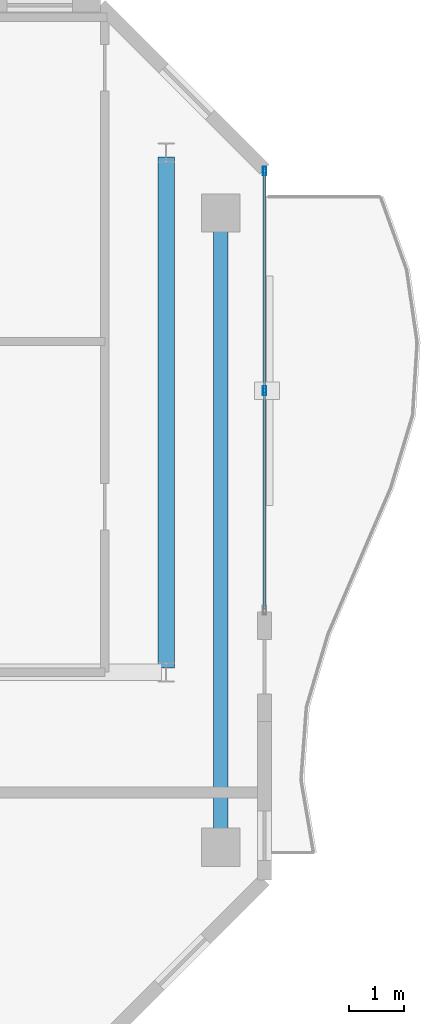
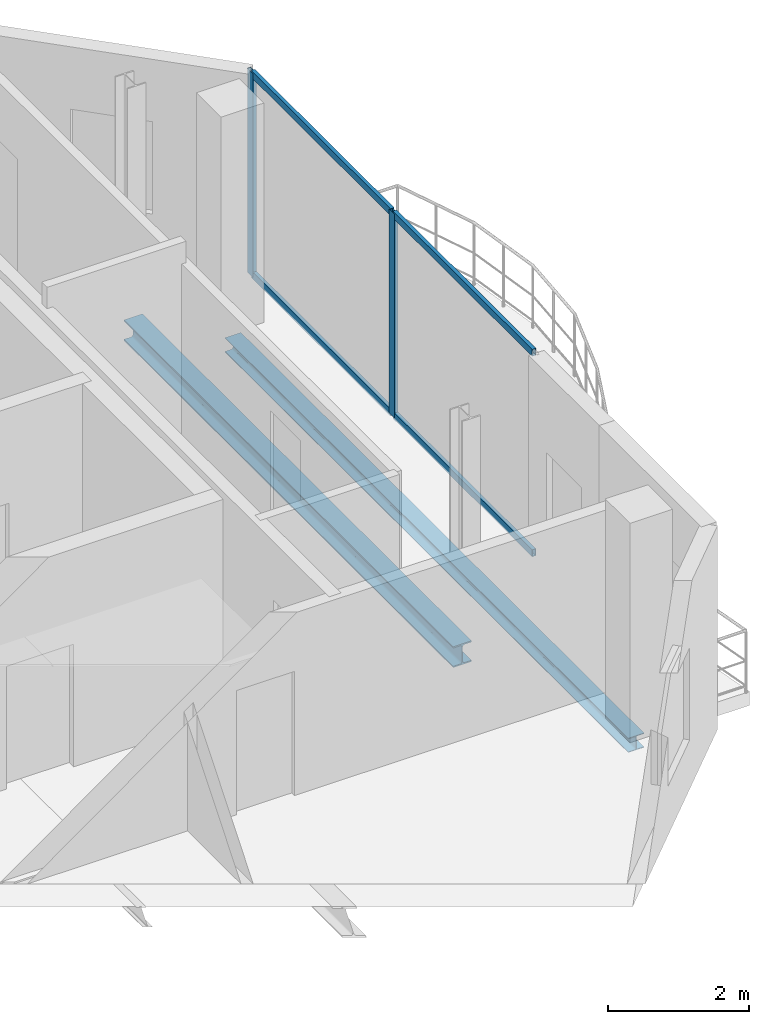
# One storey, part 15 of 22: 6 members, 2 beams, 1 element without a shape of its own.
"""IFC4 building model written with IfcOpenShell, lengths in metres."""

from ifc_helpers import new_model, si_unit, direction, frame, origin, origin_2d, place, context, subcontext, project, spatial, hollow_rectangle, i_section, extrude, material, layer, layer_set, material_profile, profile_set, type_object, element, aggregate, save


model = new_model("IFC4")

# Units and contexts
model_context = context("Model", 3, precision=1e-05, world=origin(), true_north=direction((0.0, 1.0)))
body_context = subcontext(model_context, "Body", "Model", "MODEL_VIEW")
ifc_project = project(units=[si_unit("LENGTHUNIT", "METRE"), si_unit("AREAUNIT", "SQUARE_METRE"), si_unit("VOLUMEUNIT", "CUBIC_METRE"), si_unit("PLANEANGLEUNIT", "RADIAN"), si_unit("MASSUNIT", "GRAM", prefix="KILO")], contexts=[model_context])

# Site, building, storey
site_placement = place(None, origin())
site = spatial("IfcSite", under=ifc_project, at=site_placement, CompositionType="ELEMENT")
building_placement = place(site_placement, origin())
building = spatial("IfcBuilding", under=site, at=building_placement, Name="Catumbela Crestline Tower", CompositionType="ELEMENT")
storey_placement = place(building_placement, frame((0.0, 0.0, 256.4)))
storey = spatial("IfcBuildingStorey", under=building, at=storey_placement, Name="L66", CompositionType="ELEMENT", Elevation=256.4)

# Beam
ifc_material_1 = material(Name="Structural steel S355J2", Category="steel")
ifc_material_profile_1 = material_profile(ifc_material_1, i_section(OverallWidth=0.3, OverallDepth=0.36, WebThickness=0.0125, FlangeThickness=0.0225, FilletRadius=0.027, at=origin_2d()), Name="HEB 360")
ifc_profile_set_1 = profile_set([ifc_material_profile_1], Name="Structural steel S355J2")
beam_type_1 = type_object("IfcBeamType", Name="BG-HEB360", PredefinedType="BEAM", material=ifc_profile_set_1)
beam_1_placement = place(storey_placement, frame((44.2, 30.88, -0.44), z_axis=(0.0, 1.0, 0.0), x_axis=(-1.0, 0.0, 0.0)))
element("IfcBeam", 1, at=beam_1_placement, inside=storey, type_object=beam_type_1, Name="L66 Beam BM-L66-SN19", PredefinedType="BEAM", context=body_context, shape_type="SweptSolid", body=[
    extrude(i_section(OverallWidth=0.3, OverallDepth=0.36, WebThickness=0.0125, FlangeThickness=0.0225, FilletRadius=0.027, at=origin_2d()), origin(), (0.0, 0.0, 1.0), 9.34),
])

# Curtain wall, members
ifc_material_2 = material(Name="Aluminium alloy AW-6060-T66", Category="aluminium")
ifc_layer = layer(ifc_material_2, 0.18, Name="Aluminium alloy AW-6060-T66")
ifc_layer_set = layer_set([ifc_layer], Name="Aluminium alloy AW-6060-T66")
curtain_wall_type = type_object("IfcCurtainWallType", Name="CWU-Z4", PredefinedType="USERDEFINED", material=ifc_layer_set)
curtain_wall_placement = place(storey_placement, origin())
curtain_wall = element("IfcCurtainWall", 2, at=curtain_wall_placement, inside=storey, type_object=curtain_wall_type, Name="L66 Unitised Curtain Wall CW-L66-E5S2", ObjectType="UNITISED", PredefinedType="USERDEFINED")
ifc_material_profile_2 = material_profile(ifc_material_2, hollow_rectangle(XDim=0.06, YDim=0.16, WallThickness=0.004, at=origin_2d()), Name="ALU 160x60x4")
ifc_profile_set_2 = profile_set([ifc_material_profile_2], Name="Aluminium alloy AW-6060-T66")
member_type_1 = type_object("IfcMemberType", Name="MUL-160X60", PredefinedType="MULLION", material=ifc_profile_set_2)
member_1_placement = place(storey_placement, frame((46.0, 35.95, 0.0), z_axis=(0.0, 0.0, 1.0), x_axis=(-1.0, 0.0, 0.0)))
member_1 = element("IfcMember", 3, at=member_1_placement, type_object=member_type_1, Name="CWU-Z4 mullion 2", PredefinedType="MULLION", context=body_context, shape_type="SweptSolid", body=[
    extrude(hollow_rectangle(XDim=0.06, YDim=0.16, WallThickness=0.004, at=origin_2d()), origin(), (0.0, 0.0, 1.0), 3.53),
])
member_2_placement = place(storey_placement, frame((46.0, 39.9675, 0.0), z_axis=(0.0, 0.0, 1.0), x_axis=(-1.0, 0.0, 0.0)))
member_2 = element("IfcMember", 4, at=member_2_placement, type_object=member_type_1, Name="CWU-Z4 mullion 3", PredefinedType="MULLION", context=body_context, shape_type="SweptSolid", body=[
    extrude(hollow_rectangle(XDim=0.06, YDim=0.16, WallThickness=0.004, at=origin_2d()), origin(), (0.0, 0.0, 1.0), 3.53),
])

# Beam
ifc_material_profile_3 = material_profile(ifc_material_1, i_section(OverallWidth=0.26, OverallDepth=0.25, WebThickness=0.0075, FlangeThickness=0.0125, FilletRadius=0.024, at=origin_2d()), Name="HEA 260")
ifc_profile_set_3 = profile_set([ifc_material_profile_3], Name="Structural steel S355J2")
beam_type_2 = type_object("IfcBeamType", Name="BS-HEA260", PredefinedType="SPANDREL", material=ifc_profile_set_3)
beam_2_placement = place(storey_placement, frame((45.2, 27.68, -0.385), z_axis=(0.0, 1.0, 0.0), x_axis=(-1.0, 0.0, 0.0)))
element("IfcBeam", 5, at=beam_2_placement, inside=storey, type_object=beam_type_2, Name="L66 Spandrel SP-L66-SN20", PredefinedType="SPANDREL", context=body_context, shape_type="SweptSolid", body=[
    extrude(i_section(OverallWidth=0.26, OverallDepth=0.25, WebThickness=0.0075, FlangeThickness=0.0125, FilletRadius=0.024, at=origin_2d()), origin(), (0.0, 0.0, 1.0), 11.44),
])

# Member
ifc_material_profile_4 = material_profile(ifc_material_2, hollow_rectangle(XDim=0.06, YDim=0.12, WallThickness=0.0035, at=origin_2d()), Name="ALU 120x60x3.5")
ifc_profile_set_4 = profile_set([ifc_material_profile_4], Name="Aluminium alloy AW-6060-T66")
member_type_2 = type_object("IfcMemberType", Name="TRN-120X60", PredefinedType="USERDEFINED", material=ifc_profile_set_4)
member_3_placement = place(storey_placement, frame((46.0, 31.965, 0.03), z_axis=(0.0, 1.0, 0.0), x_axis=(-1.0, 0.0, 0.0)))
member_3 = element("IfcMember", 6, at=member_3_placement, type_object=member_type_2, Name="CWU-Z4 transom 1.1", ObjectType="TRANSOM", PredefinedType="USERDEFINED", context=body_context, shape_type="SweptSolid", body=[
    extrude(hollow_rectangle(XDim=0.06, YDim=0.12, WallThickness=0.0035, at=origin_2d()), origin(), (0.0, 0.0, 1.0), 3.9525),
])

member_4_placement = place(storey_placement, frame((46.0, 31.965, 3.5), z_axis=(0.0, 1.0, 0.0), x_axis=(-1.0, 0.0, 0.0)))
member_4 = element("IfcMember", 7, at=member_4_placement, type_object=member_type_2, Name="CWU-Z4 transom 1.2", ObjectType="TRANSOM", PredefinedType="USERDEFINED", context=body_context, shape_type="SweptSolid", body=[
    extrude(hollow_rectangle(XDim=0.06, YDim=0.12, WallThickness=0.0035, at=origin_2d()), origin(), (0.0, 0.0, 1.0), 3.9525),
])

member_5_placement = place(storey_placement, frame((46.0, 35.9825, 0.03), z_axis=(0.0, 1.0, 0.0), x_axis=(-1.0, 0.0, 0.0)))
member_5 = element("IfcMember", 8, at=member_5_placement, type_object=member_type_2, Name="CWU-Z4 transom 2.1", ObjectType="TRANSOM", PredefinedType="USERDEFINED", context=body_context, shape_type="SweptSolid", body=[
    extrude(hollow_rectangle(XDim=0.06, YDim=0.12, WallThickness=0.0035, at=origin_2d()), origin(), (0.0, 0.0, 1.0), 3.9525),
])

member_6_placement = place(storey_placement, frame((46.0, 35.9825, 3.5), z_axis=(0.0, 1.0, 0.0), x_axis=(-1.0, 0.0, 0.0)))
member_6 = element("IfcMember", 9, at=member_6_placement, type_object=member_type_2, Name="CWU-Z4 transom 2.2", ObjectType="TRANSOM", PredefinedType="USERDEFINED", context=body_context, shape_type="SweptSolid", body=[
    extrude(hollow_rectangle(XDim=0.06, YDim=0.12, WallThickness=0.0035, at=origin_2d()), origin(), (0.0, 0.0, 1.0), 3.9525),
])

aggregate(curtain_wall, [member_1, member_2, member_3, member_4, member_5, member_6])

save(model, "model.ifc")
